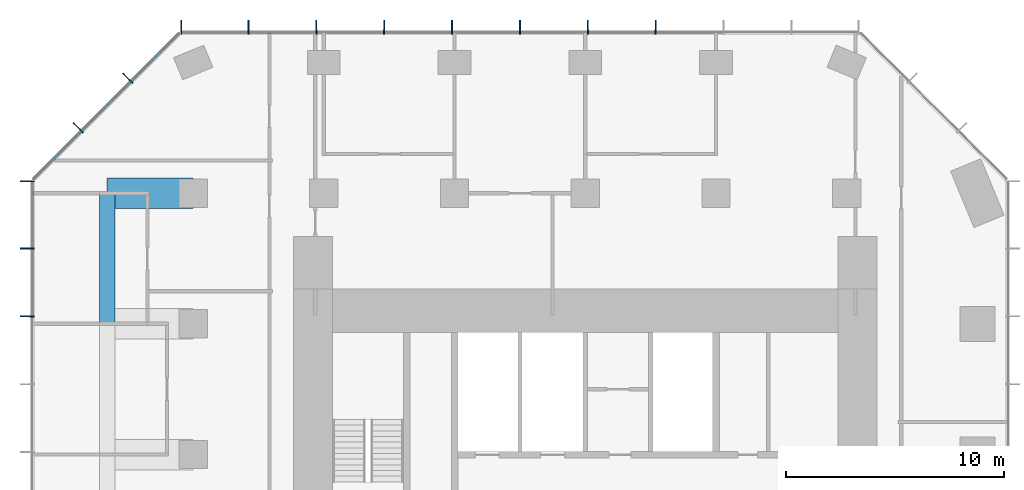
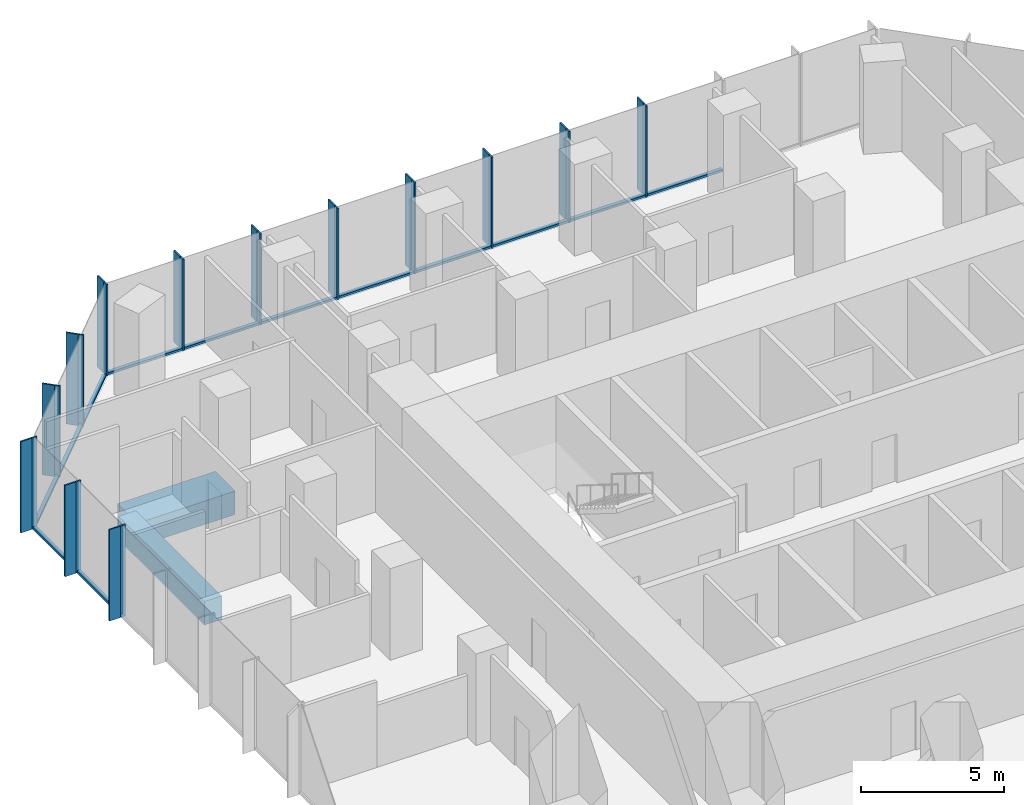
# One storey, part 5 of 12: 39 members, 2 beams, 3 elements without a shape of their own.
"""IFC4 building model written with IfcOpenShell, lengths in metres."""

import ifcopenshell
import ifcopenshell.guid

model = None  # the IFC model being written
_history = None  # IfcOwnerHistory: only IFC2X3 demands one
_inside = {}  # id of a spatial element -> (the spatial element, [elements in it])
_under = {}  # id of a project, library or spatial element -> (it, [spatial elements below it])
_declared = {}  # id of a project -> (the project, [libraries it declares])
_typed = {}  # id of a type object -> (the type object, [elements of that type])
_made_of = {}  # id of a material, layer set ... -> (it, [elements and type objects made of it])


def new_model(schema):
    """Start an empty IFC model of exactly this schema.

    Asked for "IFC4X3", IfcOpenShell would pick the latest addendum, in which some entities
    have other attributes; the version numbers below select the first issue.
    IFC2X3 requires an IfcOwnerHistory on every rooted entity: one is made here for all.
    """
    global model, _history
    if schema == "IFC4X3":
        model = ifcopenshell.file(schema_version=(4, 3, 0, 0))
    else:
        model = ifcopenshell.file(schema=schema)
    _inside.clear()
    _under.clear()
    _declared.clear()
    _typed.clear()
    _made_of.clear()
    _history = None
    if model.schema == "IFC2X3":
        org = make("IfcOrganization", Name="unknown")
        user = make(
            "IfcPersonAndOrganization",
            ThePerson=make("IfcPerson", FamilyName="unknown"),
            TheOrganization=org,
        )
        app = make(
            "IfcApplication",
            ApplicationDeveloper=org,
            Version="unknown",
            ApplicationFullName="unknown",
            ApplicationIdentifier="unknown",
        )
        _history = make(
            "IfcOwnerHistory",
            OwningUser=user,
            OwningApplication=app,
            ChangeAction="ADDED",
            CreationDate=0,
        )
    return model


def make(cls, **values):
    """One entity of the class cls with the attributes given. An attribute that is None is left unset."""
    return model.create_entity(
        cls, **{name: value for name, value in values.items() if value is not None}
    )


def rooted(cls, **values):
    """An entity with a GlobalId (a new one), such as an element, a storey or a relation."""
    return make(cls, GlobalId=ifcopenshell.guid.new(), OwnerHistory=_history, **values)


def si_unit(unit_type, name, prefix=None):
    """IfcSIUnit, for example si_unit("LENGTHUNIT", "METRE", prefix="MILLI")."""
    return make("IfcSIUnit", UnitType=unit_type, Prefix=prefix, Name=name)


def assignment(units):
    """IfcUnitAssignment: the units of a project."""
    return None if units is None else make("IfcUnitAssignment", Units=units)


def point(xyz):
    """IfcCartesianPoint."""
    return None if xyz is None else make("IfcCartesianPoint", Coordinates=xyz)


def direction(xyz):
    """IfcDirection."""
    return None if xyz is None else make("IfcDirection", DirectionRatios=xyz)


def frame(location, z_axis=None, x_axis=None):
    """IfcAxis2Placement3D, a coordinate frame: its origin and axes. An axis left out is left unset."""
    return make(
        "IfcAxis2Placement3D",
        Location=point(location),
        Axis=direction(z_axis),
        RefDirection=direction(x_axis),
    )


def frame_2d(location, x_axis=None):
    """IfcAxis2Placement2D, a coordinate frame in the plane: its origin and x axis."""
    return make(
        "IfcAxis2Placement2D", Location=point(location), RefDirection=direction(x_axis)
    )


def origin():
    """The frame at (0, 0, 0) with its axes left unset."""
    return frame((0.0, 0.0, 0.0))


def origin_2d():
    """The frame at (0, 0) in the plane with its x axis left unset."""
    return frame_2d((0.0, 0.0))


def place(relative_to, where):
    """IfcLocalPlacement: puts the frame where relative to a parent placement (None: the world)."""
    return make(
        "IfcLocalPlacement", PlacementRelTo=relative_to, RelativePlacement=where
    )


def context(
    kind, dimensions, precision=None, world=None, true_north=None, identifier=None
):
    """IfcGeometricRepresentationContext, for example the 3D "Model" context."""
    return make(
        "IfcGeometricRepresentationContext",
        ContextIdentifier=identifier,
        ContextType=kind,
        CoordinateSpaceDimension=dimensions,
        Precision=precision,
        WorldCoordinateSystem=world,
        TrueNorth=true_north,
    )


def subcontext(parent, identifier, kind, view, scale=None):
    """IfcGeometricRepresentationSubContext, for example "Body" below "Model"."""
    return make(
        "IfcGeometricRepresentationSubContext",
        ContextIdentifier=identifier,
        ContextType=kind,
        ParentContext=parent,
        TargetScale=scale,
        TargetView=view,
    )


def project(units=None, contexts=None):
    """IfcProject with its units and contexts."""
    return rooted(
        "IfcProject",
        Name="project",
        RepresentationContexts=contexts,
        UnitsInContext=assignment(units),
    )


def spatial(cls, under=None, at=None, **own):
    """A site, building, storey or space (cls), placed at a placement, below another one or the project."""
    s = rooted(cls, ObjectPlacement=at, **own)
    if under is not None:
        _under.setdefault(under.id(), (under, []))[1].append(s)
    return s


def profile(cls, at=None, kind="AREA", **sizes):
    """A parametric profile (cls). Its sizes go by their IFC names, for example OverallWidth=200.0."""
    return make(cls, ProfileType=kind, Position=at, **sizes)


def rectangle(**sizes):
    """IfcRectangleProfileDef."""
    return profile("IfcRectangleProfileDef", **sizes)


def extrude(swept, where, along, depth):
    """IfcExtrudedAreaSolid: the profile swept, set in the frame where, extruded along a direction by depth."""
    return make(
        "IfcExtrudedAreaSolid",
        SweptArea=swept,
        Position=where,
        ExtrudedDirection=direction(along),
        Depth=depth,
    )


def shape(context_of_items, identifier, shape_type, items):
    """IfcShapeRepresentation: the items that make up one representation, for example the "Body"."""
    return make(
        "IfcShapeRepresentation",
        ContextOfItems=context_of_items,
        RepresentationIdentifier=identifier,
        RepresentationType=shape_type,
        Items=items,
    )


def material(Name=None, Category=None):
    """IfcMaterial."""
    return make("IfcMaterial", Name=Name, Category=Category)


def layer(
    of_material, thickness, ventilated=None, Name=None, Category=None, Priority=None
):
    """IfcMaterialLayer: one layer of a wall or slab, of a material (None: an air gap)."""
    return make(
        "IfcMaterialLayer",
        Material=of_material,
        LayerThickness=thickness,
        IsVentilated=ventilated,
        Name=Name,
        Category=Category,
        Priority=Priority,
    )


def layer_set(layers, Name=None):
    """IfcMaterialLayerSet."""
    return make("IfcMaterialLayerSet", MaterialLayers=layers, LayerSetName=Name)


def material_profile(
    of_material, cross_section, Name=None, Category=None, Priority=None
):
    """IfcMaterialProfile: a cross section and its material."""
    return make(
        "IfcMaterialProfile",
        Name=Name,
        Material=of_material,
        Profile=cross_section,
        Priority=Priority,
        Category=Category,
    )


def profile_set(profiles, Name=None, composite=None):
    """IfcMaterialProfileSet."""
    return make(
        "IfcMaterialProfileSet",
        Name=Name,
        MaterialProfiles=profiles,
        CompositeProfile=composite,
    )


def made_of(thing, what):
    """Note that an element or type object is made of a material, layer set ...; save() writes the relation."""
    if what is not None:
        _made_of.setdefault(what.id(), (what, []))[1].append(thing)
    return thing


def type_object(cls, material=None, **own):
    """A type object (cls), such as IfcWallType, which elements share."""
    return made_of(rooted(cls, **own), material)


def element(
    cls,
    number,
    at=None,
    inside=None,
    cuts=None,
    type_object=None,
    material=None,
    context=None,
    identifier="Body",
    shape_type=None,
    held_by="IfcProductDefinitionShape",
    body=None,
    shapes=None,
    **own,
):
    """One element of the class cls, such as IfcWall. Its Tag is "e" and its number.

    at: its placement. inside: the storey or other place that contains it. cuts: it is an
    opening in that element (IfcRelVoidsElement). A single representation is given by context,
    identifier, shape_type and body (its items); several are given by shapes. held_by: the class
    of the entity that holds the representations. save() writes the other relations.
    """
    e = rooted(cls, Tag="e%d" % number, ObjectPlacement=at, **own)
    if body is not None:
        shapes = [shape(context, identifier, shape_type, body)]
    if shapes is not None:
        e.Representation = make(held_by, Representations=shapes)
    if inside is not None:
        _inside.setdefault(inside.id(), (inside, []))[1].append(e)
    if cuts is not None:
        rooted(
            "IfcRelVoidsElement", RelatingBuildingElement=cuts, RelatedOpeningElement=e
        )
    if type_object is not None:
        _typed.setdefault(type_object.id(), (type_object, []))[1].append(e)
    return made_of(e, material)


def aggregate(whole, parts):
    """IfcRelAggregates: a whole, such as a stair, and the parts it consists of."""
    return rooted("IfcRelAggregates", RelatingObject=whole, RelatedObjects=parts)


def save(model, path):
    """Write the relations noted so far, then the file.

    IfcRelAggregates (storeys below a building ...), IfcRelContainedInSpatialStructure (elements
    in a storey), IfcRelDefinesByType, IfcRelAssociatesMaterial and IfcRelDeclares: one each for
    every whole, place, type object, material and project.
    """
    for whole, parts in _under.values():
        aggregate(whole, parts)
    for where, things in _inside.values():
        rooted(
            "IfcRelContainedInSpatialStructure",
            RelatedElements=things,
            RelatingStructure=where,
        )
    for kind, things in _typed.values():
        rooted("IfcRelDefinesByType", RelatedObjects=things, RelatingType=kind)
    for what, things in _made_of.values():
        rooted("IfcRelAssociatesMaterial", RelatedObjects=things, RelatingMaterial=what)
    for by, libraries in _declared.values():
        rooted("IfcRelDeclares", RelatingContext=by, RelatedDefinitions=libraries)
    model.write(path)


model = new_model("IFC4")

# Units and contexts
model_context = context("Model", 3, precision=1e-05, world=origin(), true_north=direction((0.0, 1.0)))
body_context = subcontext(model_context, "Body", "Model", "MODEL_VIEW")
ifc_project = project(units=[si_unit("LENGTHUNIT", "METRE"), si_unit("AREAUNIT", "SQUARE_METRE"), si_unit("VOLUMEUNIT", "CUBIC_METRE"), si_unit("PLANEANGLEUNIT", "RADIAN"), si_unit("MASSUNIT", "GRAM", prefix="KILO")], contexts=[model_context])

# Site, building, storey
site_placement = place(None, origin())
site = spatial("IfcSite", under=ifc_project, at=site_placement, CompositionType="ELEMENT")
building_placement = place(site_placement, origin())
building = spatial("IfcBuilding", under=site, at=building_placement, Name="Highveld Stack Headquarters", CompositionType="ELEMENT")
storey_placement = place(building_placement, frame((0.0, 0.0, 231.800048828125)))
storey = spatial("IfcBuildingStorey", under=building, at=storey_placement, Name="L57", CompositionType="ELEMENT", Elevation=231.800048828125)

# Beam
ifc_material_1 = material(Name="Concrete C60/75", Category="concrete")
ifc_material_profile_1 = material_profile(ifc_material_1, rectangle(XDim=1.39990234375, YDim=1.0, at=origin_2d()), Name="RC 1400x1000")
ifc_profile_set_1 = profile_set([ifc_material_profile_1], Name="Concrete C60/75")
beam_type_1 = type_object("IfcBeamType", Name="CANTILEVER RIB RC 1400x1000", PredefinedType="USERDEFINED", material=ifc_profile_set_1)
beam_1_placement = place(storey_placement, frame((-12.0, 18.0, -0.75), z_axis=(-1.0, 0.0, 0.0), x_axis=(0.0, -1.0, 0.0)))
element("IfcBeam", 1, at=beam_1_placement, inside=storey, type_object=beam_type_1, Name="Cantilever rib 4/H L57", ObjectType="CANTILEVER RIB", PredefinedType="USERDEFINED", context=body_context, shape_type="SweptSolid", body=[
    extrude(rectangle(XDim=1.39990234375, YDim=1.0, at=origin_2d()), origin(), (0.0, 0.0, 1.0), 3.949951171875),
])

# Curtain wall, members
ifc_material_2 = material(Name="Aluminium bronze anodised", Category="aluminium")
ifc_layer_1 = layer(ifc_material_2, 0.199951171875)
ifc_layer_set_1 = layer_set([ifc_layer_1], Name="Aluminium bronze anodised")
curtain_wall_type_1 = type_object("IfcCurtainWallType", Name="CW1 TOWER UNITISED CURTAIN WALL", PredefinedType="NOTDEFINED", material=ifc_layer_set_1)
curtain_wall_1_placement = place(storey_placement, origin())
curtain_wall_1 = element("IfcCurtainWall", 2, at=curtain_wall_1_placement, inside=storey, type_object=curtain_wall_type_1, Name="Curtain wall CW1 L57 N", PredefinedType="NOTDEFINED")
ifc_material_3 = material(Name="Aluminium bronze anodised", Category="aluminium")
ifc_material_profile_2 = material_profile(ifc_material_3, rectangle(XDim=0.449951171875, YDim=0.06005859375, at=origin_2d()), Name="FIN 450x60")
ifc_profile_set_2 = profile_set([ifc_material_profile_2], Name="Aluminium bronze anodised")
member_type_1 = type_object("IfcMemberType", Name="CW1 BRONZE FIN 450x60", PredefinedType="USERDEFINED", material=ifc_profile_set_2)
member_1_placement = place(storey_placement, frame((9.23193359375, 25.72509765625, 0.0), z_axis=(0.0, 0.0, 1.0), x_axis=(0.0, -1.0, 0.0)))
member_1 = element("IfcMember", 3, at=member_1_placement, type_object=member_type_1, Name="CW1 fin L57 4", ObjectType="FIN", PredefinedType="USERDEFINED", context=body_context, shape_type="SweptSolid", body=[
    extrude(rectangle(XDim=0.449951171875, YDim=0.06005859375, at=origin_2d()), origin(), (0.0, 0.0, 1.0), 3.89990234375),
])
member_2_placement = place(storey_placement, frame((6.115966796875, 25.72509765625, 0.0), z_axis=(0.0, 0.0, 1.0), x_axis=(0.0, -1.0, 0.0)))
member_2 = element("IfcMember", 4, at=member_2_placement, type_object=member_type_1, Name="CW1 fin L57 5", ObjectType="FIN", PredefinedType="USERDEFINED", context=body_context, shape_type="SweptSolid", body=[
    extrude(rectangle(XDim=0.449951171875, YDim=0.06005859375, at=origin_2d()), origin(), (0.0, 0.0, 1.0), 3.89990234375),
])
member_3_placement = place(storey_placement, frame((3.0, 25.72509765625, 0.0), z_axis=(0.0, 0.0, 1.0), x_axis=(0.0, -1.0, 0.0)))
member_3 = element("IfcMember", 5, at=member_3_placement, type_object=member_type_1, Name="CW1 fin L57 6", ObjectType="FIN", PredefinedType="USERDEFINED", context=body_context, shape_type="SweptSolid", body=[
    extrude(rectangle(XDim=0.449951171875, YDim=0.06005859375, at=origin_2d()), origin(), (0.0, 0.0, 1.0), 3.89990234375),
])
member_4_placement = place(storey_placement, frame((-0.115966796875, 25.72509765625, 0.0), z_axis=(0.0, 0.0, 1.0), x_axis=(0.0, -1.0, 0.0)))
member_4 = element("IfcMember", 6, at=member_4_placement, type_object=member_type_1, Name="CW1 fin L57 7", ObjectType="FIN", PredefinedType="USERDEFINED", context=body_context, shape_type="SweptSolid", body=[
    extrude(rectangle(XDim=0.449951171875, YDim=0.06005859375, at=origin_2d()), origin(), (0.0, 0.0, 1.0), 3.89990234375),
])
member_5_placement = place(storey_placement, frame((-3.23193359375, 25.72509765625, 0.0), z_axis=(0.0, 0.0, 1.0), x_axis=(0.0, -1.0, 0.0)))
member_5 = element("IfcMember", 7, at=member_5_placement, type_object=member_type_1, Name="CW1 fin L57 8", ObjectType="FIN", PredefinedType="USERDEFINED", context=body_context, shape_type="SweptSolid", body=[
    extrude(rectangle(XDim=0.449951171875, YDim=0.06005859375, at=origin_2d()), origin(), (0.0, 0.0, 1.0), 3.89990234375),
])
member_6_placement = place(storey_placement, frame((-6.347900390625, 25.72509765625, 0.0), z_axis=(0.0, 0.0, 1.0), x_axis=(0.0, -1.0, 0.0)))
member_6 = element("IfcMember", 8, at=member_6_placement, type_object=member_type_1, Name="CW1 fin L57 9", ObjectType="FIN", PredefinedType="USERDEFINED", context=body_context, shape_type="SweptSolid", body=[
    extrude(rectangle(XDim=0.449951171875, YDim=0.06005859375, at=origin_2d()), origin(), (0.0, 0.0, 1.0), 3.89990234375),
])
member_7_placement = place(storey_placement, frame((-9.4638671875, 25.72509765625, 0.0), z_axis=(0.0, 0.0, 1.0), x_axis=(0.0, -1.0, 0.0)))
member_7 = element("IfcMember", 9, at=member_7_placement, type_object=member_type_1, Name="CW1 fin L57 10", ObjectType="FIN", PredefinedType="USERDEFINED", context=body_context, shape_type="SweptSolid", body=[
    extrude(rectangle(XDim=0.449951171875, YDim=0.06005859375, at=origin_2d()), origin(), (0.0, 0.0, 1.0), 3.89990234375),
])
member_8_placement = place(storey_placement, frame((-12.54736328125, 25.72509765625, 0.0), z_axis=(0.0, 0.0, 1.0), x_axis=(0.0, -1.0, 0.0)))
member_8 = element("IfcMember", 10, at=member_8_placement, type_object=member_type_1, Name="CW1 fin L57 11", ObjectType="FIN", PredefinedType="USERDEFINED", context=body_context, shape_type="SweptSolid", body=[
    extrude(rectangle(XDim=0.449951171875, YDim=0.06005859375, at=origin_2d()), origin(), (0.0, 0.0, 1.0), 3.89990234375),
])

curtain_wall_2_placement = place(storey_placement, origin())
curtain_wall_2 = element("IfcCurtainWall", 11, at=curtain_wall_2_placement, inside=storey, type_object=curtain_wall_type_1, Name="Curtain wall CW1 L57 W", PredefinedType="NOTDEFINED")
member_9_placement = place(storey_placement, frame((-19.72509765625, 18.54736328125, 0.0), z_axis=(0.0, 0.0, 1.0), x_axis=(1.0, 0.0, 0.0)))
member_9 = element("IfcMember", 12, at=member_9_placement, type_object=member_type_1, Name="CW1 fin L57 1", ObjectType="FIN", PredefinedType="USERDEFINED", context=body_context, shape_type="SweptSolid", body=[
    extrude(rectangle(XDim=0.449951171875, YDim=0.06005859375, at=origin_2d()), origin(), (0.0, 0.0, 1.0), 3.89990234375),
])
member_10_placement = place(storey_placement, frame((-19.72509765625, 15.4638671875, 0.0), z_axis=(0.0, 0.0, 1.0), x_axis=(1.0, 0.0, 0.0)))
member_10 = element("IfcMember", 13, at=member_10_placement, type_object=member_type_1, Name="CW1 fin L57 2", ObjectType="FIN", PredefinedType="USERDEFINED", context=body_context, shape_type="SweptSolid", body=[
    extrude(rectangle(XDim=0.449951171875, YDim=0.06005859375, at=origin_2d()), origin(), (0.0, 0.0, 1.0), 3.89990234375),
])
member_11_placement = place(storey_placement, frame((-19.72509765625, 12.347900390625, 0.0), z_axis=(0.0, 0.0, 1.0), x_axis=(1.0, 0.0, 0.0)))
member_11 = element("IfcMember", 14, at=member_11_placement, type_object=member_type_1, Name="CW1 fin L57 3", ObjectType="FIN", PredefinedType="USERDEFINED", context=body_context, shape_type="SweptSolid", body=[
    extrude(rectangle(XDim=0.449951171875, YDim=0.06005859375, at=origin_2d()), origin(), (0.0, 0.0, 1.0), 3.89990234375),
])

# Member
ifc_material_4 = material(Name="Aluminium bronze anodised", Category="aluminium")
ifc_material_profile_3 = material_profile(ifc_material_4, rectangle(XDim=0.199951171875, YDim=0.06494140625, at=origin_2d()), Name="CW1 MULLION 65x200")
ifc_profile_set_3 = profile_set([ifc_material_profile_3], Name="Aluminium bronze anodised")
member_type_2 = type_object("IfcMemberType", Name="CW1 MULLION 65x200", PredefinedType="MULLION", material=ifc_profile_set_3)
member_12_placement = place(storey_placement, frame((9.23193359375, 25.39990234375, 0.0), z_axis=(0.0, 0.0, 1.0), x_axis=(0.0, -1.0, 0.0)))
member_12 = element("IfcMember", 15, at=member_12_placement, type_object=member_type_2, Name="CW1 mullion L57 4", PredefinedType="MULLION", context=body_context, shape_type="SweptSolid", body=[
    extrude(rectangle(XDim=0.199951171875, YDim=0.06494140625, at=origin_2d()), origin(), (0.0, 0.0, 1.0), 3.89990234375),
])

member_13_placement = place(storey_placement, frame((6.115966796875, 25.39990234375, 0.0), z_axis=(0.0, 0.0, 1.0), x_axis=(0.0, -1.0, 0.0)))
member_13 = element("IfcMember", 16, at=member_13_placement, type_object=member_type_2, Name="CW1 mullion L57 5", PredefinedType="MULLION", context=body_context, shape_type="SweptSolid", body=[
    extrude(rectangle(XDim=0.199951171875, YDim=0.06494140625, at=origin_2d()), origin(), (0.0, 0.0, 1.0), 3.89990234375),
])

member_14_placement = place(storey_placement, frame((3.0, 25.39990234375, 0.0), z_axis=(0.0, 0.0, 1.0), x_axis=(0.0, -1.0, 0.0)))
member_14 = element("IfcMember", 17, at=member_14_placement, type_object=member_type_2, Name="CW1 mullion L57 6", PredefinedType="MULLION", context=body_context, shape_type="SweptSolid", body=[
    extrude(rectangle(XDim=0.199951171875, YDim=0.06494140625, at=origin_2d()), origin(), (0.0, 0.0, 1.0), 3.89990234375),
])

member_15_placement = place(storey_placement, frame((-0.115966796875, 25.39990234375, 0.0), z_axis=(0.0, 0.0, 1.0), x_axis=(0.0, -1.0, 0.0)))
member_15 = element("IfcMember", 18, at=member_15_placement, type_object=member_type_2, Name="CW1 mullion L57 7", PredefinedType="MULLION", context=body_context, shape_type="SweptSolid", body=[
    extrude(rectangle(XDim=0.199951171875, YDim=0.06494140625, at=origin_2d()), origin(), (0.0, 0.0, 1.0), 3.89990234375),
])

member_16_placement = place(storey_placement, frame((-3.23193359375, 25.39990234375, 0.0), z_axis=(0.0, 0.0, 1.0), x_axis=(0.0, -1.0, 0.0)))
member_16 = element("IfcMember", 19, at=member_16_placement, type_object=member_type_2, Name="CW1 mullion L57 8", PredefinedType="MULLION", context=body_context, shape_type="SweptSolid", body=[
    extrude(rectangle(XDim=0.199951171875, YDim=0.06494140625, at=origin_2d()), origin(), (0.0, 0.0, 1.0), 3.89990234375),
])

member_17_placement = place(storey_placement, frame((-6.347900390625, 25.39990234375, 0.0), z_axis=(0.0, 0.0, 1.0), x_axis=(0.0, -1.0, 0.0)))
member_17 = element("IfcMember", 20, at=member_17_placement, type_object=member_type_2, Name="CW1 mullion L57 9", PredefinedType="MULLION", context=body_context, shape_type="SweptSolid", body=[
    extrude(rectangle(XDim=0.199951171875, YDim=0.06494140625, at=origin_2d()), origin(), (0.0, 0.0, 1.0), 3.89990234375),
])

member_18_placement = place(storey_placement, frame((-9.4638671875, 25.39990234375, 0.0), z_axis=(0.0, 0.0, 1.0), x_axis=(0.0, -1.0, 0.0)))
member_18 = element("IfcMember", 21, at=member_18_placement, type_object=member_type_2, Name="CW1 mullion L57 10", PredefinedType="MULLION", context=body_context, shape_type="SweptSolid", body=[
    extrude(rectangle(XDim=0.199951171875, YDim=0.06494140625, at=origin_2d()), origin(), (0.0, 0.0, 1.0), 3.89990234375),
])

member_19_placement = place(storey_placement, frame((-12.54736328125, 25.39990234375, 0.0), z_axis=(0.0, 0.0, 1.0), x_axis=(0.0, -1.0, 0.0)))
member_19 = element("IfcMember", 22, at=member_19_placement, type_object=member_type_2, Name="CW1 mullion L57 11", PredefinedType="MULLION", context=body_context, shape_type="SweptSolid", body=[
    extrude(rectangle(XDim=0.199951171875, YDim=0.06494140625, at=origin_2d()), origin(), (0.0, 0.0, 1.0), 3.89990234375),
])

member_20_placement = place(storey_placement, frame((-19.39990234375, 18.54736328125, 0.0), z_axis=(0.0, 0.0, 1.0), x_axis=(1.0, 0.0, 0.0)))
member_20 = element("IfcMember", 23, at=member_20_placement, type_object=member_type_2, Name="CW1 mullion L57 1", PredefinedType="MULLION", context=body_context, shape_type="SweptSolid", body=[
    extrude(rectangle(XDim=0.199951171875, YDim=0.06494140625, at=origin_2d()), origin(), (0.0, 0.0, 1.0), 3.89990234375),
])

member_21_placement = place(storey_placement, frame((-19.39990234375, 15.4638671875, 0.0), z_axis=(0.0, 0.0, 1.0), x_axis=(1.0, 0.0, 0.0)))
member_21 = element("IfcMember", 24, at=member_21_placement, type_object=member_type_2, Name="CW1 mullion L57 2", PredefinedType="MULLION", context=body_context, shape_type="SweptSolid", body=[
    extrude(rectangle(XDim=0.199951171875, YDim=0.06494140625, at=origin_2d()), origin(), (0.0, 0.0, 1.0), 3.89990234375),
])

member_22_placement = place(storey_placement, frame((-19.39990234375, 12.347900390625, 0.0), z_axis=(0.0, 0.0, 1.0), x_axis=(1.0, 0.0, 0.0)))
member_22 = element("IfcMember", 25, at=member_22_placement, type_object=member_type_2, Name="CW1 mullion L57 3", PredefinedType="MULLION", context=body_context, shape_type="SweptSolid", body=[
    extrude(rectangle(XDim=0.199951171875, YDim=0.06494140625, at=origin_2d()), origin(), (0.0, 0.0, 1.0), 3.89990234375),
])

ifc_material_5 = material(Name="Aluminium bronze anodised", Category="aluminium")
ifc_material_profile_4 = material_profile(ifc_material_5, rectangle(XDim=0.14990234375, YDim=0.10009765625, at=origin_2d()), Name="CW1 TRANSOM 150x100")
ifc_profile_set_4 = profile_set([ifc_material_profile_4], Name="Aluminium bronze anodised")
member_type_3 = type_object("IfcMemberType", Name="CW1 STACK TRANSOM 150x100", PredefinedType="USERDEFINED", material=ifc_profile_set_4)
member_23_placement = place(storey_placement, frame((12.3154296875, 25.39990234375, 0.050048828125), z_axis=(-1.0, 0.0, 0.0), x_axis=(0.0, -1.0, 0.0)))
member_23 = element("IfcMember", 26, at=member_23_placement, type_object=member_type_3, Name="CW1 transom L57 3.1", ObjectType="TRANSOM", PredefinedType="USERDEFINED", context=body_context, shape_type="SweptSolid", body=[
    extrude(rectangle(XDim=0.14990234375, YDim=0.10009765625, at=origin_2d()), origin(), (0.0, 0.0, 1.0), 3.051025390625),
])

member_24_placement = place(storey_placement, frame((9.199462890625, 25.39990234375, 0.050048828125), z_axis=(-1.0, 0.0, 0.0), x_axis=(0.0, -1.0, 0.0)))
member_24 = element("IfcMember", 27, at=member_24_placement, type_object=member_type_3, Name="CW1 transom L57 4.1", ObjectType="TRANSOM", PredefinedType="USERDEFINED", context=body_context, shape_type="SweptSolid", body=[
    extrude(rectangle(XDim=0.14990234375, YDim=0.10009765625, at=origin_2d()), origin(), (0.0, 0.0, 1.0), 3.051025390625),
])

member_25_placement = place(storey_placement, frame((6.08349609375, 25.39990234375, 0.050048828125), z_axis=(-1.0, 0.0, 0.0), x_axis=(0.0, -1.0, 0.0)))
member_25 = element("IfcMember", 28, at=member_25_placement, type_object=member_type_3, Name="CW1 transom L57 5.1", ObjectType="TRANSOM", PredefinedType="USERDEFINED", context=body_context, shape_type="SweptSolid", body=[
    extrude(rectangle(XDim=0.14990234375, YDim=0.10009765625, at=origin_2d()), origin(), (0.0, 0.0, 1.0), 3.051025390625),
])

member_26_placement = place(storey_placement, frame((2.967529296875, 25.39990234375, 0.050048828125), z_axis=(-1.0, 0.0, 0.0), x_axis=(0.0, -1.0, 0.0)))
member_26 = element("IfcMember", 29, at=member_26_placement, type_object=member_type_3, Name="CW1 transom L57 6.1", ObjectType="TRANSOM", PredefinedType="USERDEFINED", context=body_context, shape_type="SweptSolid", body=[
    extrude(rectangle(XDim=0.14990234375, YDim=0.10009765625, at=origin_2d()), origin(), (0.0, 0.0, 1.0), 3.051025390625),
])

member_27_placement = place(storey_placement, frame((-0.1484375, 25.39990234375, 0.050048828125), z_axis=(-1.0, 0.0, 0.0), x_axis=(0.0, -1.0, 0.0)))
member_27 = element("IfcMember", 30, at=member_27_placement, type_object=member_type_3, Name="CW1 transom L57 7.1", ObjectType="TRANSOM", PredefinedType="USERDEFINED", context=body_context, shape_type="SweptSolid", body=[
    extrude(rectangle(XDim=0.14990234375, YDim=0.10009765625, at=origin_2d()), origin(), (0.0, 0.0, 1.0), 3.051025390625),
])

member_28_placement = place(storey_placement, frame((-3.264404296875, 25.39990234375, 0.050048828125), z_axis=(-1.0, 0.0, 0.0), x_axis=(0.0, -1.0, 0.0)))
member_28 = element("IfcMember", 31, at=member_28_placement, type_object=member_type_3, Name="CW1 transom L57 8.1", ObjectType="TRANSOM", PredefinedType="USERDEFINED", context=body_context, shape_type="SweptSolid", body=[
    extrude(rectangle(XDim=0.14990234375, YDim=0.10009765625, at=origin_2d()), origin(), (0.0, 0.0, 1.0), 3.051025390625),
])

member_29_placement = place(storey_placement, frame((-6.38037109375, 25.39990234375, 0.050048828125), z_axis=(-1.0, 0.0, 0.0), x_axis=(0.0, -1.0, 0.0)))
member_29 = element("IfcMember", 32, at=member_29_placement, type_object=member_type_3, Name="CW1 transom L57 9.1", ObjectType="TRANSOM", PredefinedType="USERDEFINED", context=body_context, shape_type="SweptSolid", body=[
    extrude(rectangle(XDim=0.14990234375, YDim=0.10009765625, at=origin_2d()), origin(), (0.0, 0.0, 1.0), 3.051025390625),
])

member_30_placement = place(storey_placement, frame((-9.496337890625, 25.39990234375, 0.050048828125), z_axis=(-1.0, 0.0, 0.0), x_axis=(0.0, -1.0, 0.0)))
member_30 = element("IfcMember", 33, at=member_30_placement, type_object=member_type_3, Name="CW1 transom L57 10.1", ObjectType="TRANSOM", PredefinedType="USERDEFINED", context=body_context, shape_type="SweptSolid", body=[
    extrude(rectangle(XDim=0.14990234375, YDim=0.10009765625, at=origin_2d()), origin(), (0.0, 0.0, 1.0), 3.0185546875),
])

aggregate(curtain_wall_1, [member_12, member_1, member_13, member_2, member_14, member_3, member_15, member_4, member_16, member_5, member_17, member_6, member_18, member_7, member_19, member_8, member_23, member_24, member_25, member_26, member_27, member_28, member_29, member_30])

member_31_placement = place(storey_placement, frame((-19.39990234375, 18.514892578125, 0.050048828125), z_axis=(0.0, -1.0, 0.0), x_axis=(1.0, 0.0, 0.0)))
member_31 = element("IfcMember", 34, at=member_31_placement, type_object=member_type_3, Name="CW1 transom L57 1.1", ObjectType="TRANSOM", PredefinedType="USERDEFINED", context=body_context, shape_type="SweptSolid", body=[
    extrude(rectangle(XDim=0.14990234375, YDim=0.10009765625, at=origin_2d()), origin(), (0.0, 0.0, 1.0), 3.0185546875),
])

member_32_placement = place(storey_placement, frame((-19.39990234375, 15.431396484375, 0.050048828125), z_axis=(0.0, -1.0, 0.0), x_axis=(1.0, 0.0, 0.0)))
member_32 = element("IfcMember", 35, at=member_32_placement, type_object=member_type_3, Name="CW1 transom L57 2.1", ObjectType="TRANSOM", PredefinedType="USERDEFINED", context=body_context, shape_type="SweptSolid", body=[
    extrude(rectangle(XDim=0.14990234375, YDim=0.10009765625, at=origin_2d()), origin(), (0.0, 0.0, 1.0), 3.051025390625),
])

aggregate(curtain_wall_2, [member_20, member_9, member_21, member_10, member_22, member_11, member_31, member_32])

# Curtain wall, members
ifc_material_6 = material(Name="Aluminium bronze anodised", Category="aluminium")
ifc_layer_2 = layer(ifc_material_6, 0.199951171875)
ifc_layer_set_2 = layer_set([ifc_layer_2], Name="Aluminium bronze anodised")
curtain_wall_type_2 = type_object("IfcCurtainWallType", Name="CW2 TOWER CHAMFER UNITISED CURTAIN WALL", PredefinedType="NOTDEFINED", material=ifc_layer_set_2)
curtain_wall_3_placement = place(storey_placement, origin())
curtain_wall_3 = element("IfcCurtainWall", 36, at=curtain_wall_3_placement, inside=storey, type_object=curtain_wall_type_2, Name="Curtain wall CW2 L57 NW", PredefinedType="NOTDEFINED")
ifc_material_7 = material(Name="Aluminium bronze anodised", Category="aluminium")
ifc_material_profile_5 = material_profile(ifc_material_7, rectangle(XDim=0.449951171875, YDim=0.06005859375, at=origin_2d()), Name="FIN 450x60")
ifc_profile_set_5 = profile_set([ifc_material_profile_5], Name="Aluminium bronze anodised")
member_type_4 = type_object("IfcMemberType", Name="CW2 BRONZE FIN 450x60", PredefinedType="USERDEFINED", material=ifc_profile_set_5)
member_33_placement = place(storey_placement, frame((-15.0830078125, 23.3564453125, 0.0), z_axis=(0.0, 0.0, 1.0), x_axis=(0.707106781187, -0.707106781187, 0.0)))
member_33 = element("IfcMember", 37, at=member_33_placement, type_object=member_type_4, Name="CW2 fin L57 1", ObjectType="FIN", PredefinedType="USERDEFINED", context=body_context, shape_type="SweptSolid", body=[
    extrude(rectangle(XDim=0.449951171875, YDim=0.06005859375, at=origin_2d()), origin(), (0.0, 0.0, 1.0), 3.89990234375),
])
member_34_placement = place(storey_placement, frame((-17.3564453125, 21.0830078125, 0.0), z_axis=(0.0, 0.0, 1.0), x_axis=(0.707106781187, -0.707106781187, 0.0)))
member_34 = element("IfcMember", 38, at=member_34_placement, type_object=member_type_4, Name="CW2 fin L57 2", ObjectType="FIN", PredefinedType="USERDEFINED", context=body_context, shape_type="SweptSolid", body=[
    extrude(rectangle(XDim=0.449951171875, YDim=0.06005859375, at=origin_2d()), origin(), (0.0, 0.0, 1.0), 3.89990234375),
])
ifc_material_8 = material(Name="Aluminium bronze anodised", Category="aluminium")
ifc_material_profile_6 = material_profile(ifc_material_8, rectangle(XDim=0.199951171875, YDim=0.06494140625, at=origin_2d()), Name="CW2 MULLION 65x200")
ifc_profile_set_6 = profile_set([ifc_material_profile_6], Name="Aluminium bronze anodised")
member_type_5 = type_object("IfcMemberType", Name="CW2 MULLION 65x200", PredefinedType="MULLION", material=ifc_profile_set_6)
member_35_placement = place(storey_placement, frame((-14.853271484375, 23.126708984375, 0.0), z_axis=(0.0, 0.0, 1.0), x_axis=(0.707106781187, -0.707106781187, 0.0)))
member_35 = element("IfcMember", 39, at=member_35_placement, type_object=member_type_5, Name="CW2 mullion L57 1", PredefinedType="MULLION", context=body_context, shape_type="SweptSolid", body=[
    extrude(rectangle(XDim=0.199951171875, YDim=0.06494140625, at=origin_2d()), origin(), (0.0, 0.0, 1.0), 3.89990234375),
])
member_36_placement = place(storey_placement, frame((-17.126708984375, 20.853271484375, 0.0), z_axis=(0.0, 0.0, 1.0), x_axis=(0.707106781187, -0.707106781187, 0.0)))
member_36 = element("IfcMember", 40, at=member_36_placement, type_object=member_type_5, Name="CW2 mullion L57 2", PredefinedType="MULLION", context=body_context, shape_type="SweptSolid", body=[
    extrude(rectangle(XDim=0.199951171875, YDim=0.06494140625, at=origin_2d()), origin(), (0.0, 0.0, 1.0), 3.89990234375),
])
ifc_material_9 = material(Name="Aluminium bronze anodised", Category="aluminium")
ifc_material_profile_7 = material_profile(ifc_material_9, rectangle(XDim=0.14990234375, YDim=0.10009765625, at=origin_2d()), Name="CW2 TRANSOM 150x100")
ifc_profile_set_7 = profile_set([ifc_material_profile_7], Name="Aluminium bronze anodised")
member_type_6 = type_object("IfcMemberType", Name="CW2 STACK TRANSOM 150x100", PredefinedType="USERDEFINED", material=ifc_profile_set_7)
member_37_placement = place(storey_placement, frame((-12.650634765625, 25.329345703125, 0.050048828125), z_axis=(-0.707106781187, -0.707106781187, 0.0), x_axis=(0.707106781187, -0.707106781187, 0.0)))
member_37 = element("IfcMember", 41, at=member_37_placement, type_object=member_type_6, Name="CW2 transom L57 1.1", ObjectType="TRANSOM", PredefinedType="USERDEFINED", context=body_context, shape_type="SweptSolid", body=[
    extrude(rectangle(XDim=0.14990234375, YDim=0.10009765625, at=origin_2d()), origin(), (0.0, 0.0, 1.0), 3.08251953125),
])
member_38_placement = place(storey_placement, frame((-14.876220703125, 23.103759765625, 0.050048828125), z_axis=(-0.707106781187, -0.707106781187, 0.0), x_axis=(0.707106781187, -0.707106781187, 0.0)))
member_38 = element("IfcMember", 42, at=member_38_placement, type_object=member_type_6, Name="CW2 transom L57 2.1", ObjectType="TRANSOM", PredefinedType="USERDEFINED", context=body_context, shape_type="SweptSolid", body=[
    extrude(rectangle(XDim=0.14990234375, YDim=0.10009765625, at=origin_2d()), origin(), (0.0, 0.0, 1.0), 3.150146484375),
])
member_39_placement = place(storey_placement, frame((-17.149658203125, 20.830322265625, 0.050048828125), z_axis=(-0.707106781187, -0.707106781187, 0.0), x_axis=(0.707106781187, -0.707106781187, 0.0)))
member_39 = element("IfcMember", 43, at=member_39_placement, type_object=member_type_6, Name="CW2 transom L57 3.1", ObjectType="TRANSOM", PredefinedType="USERDEFINED", context=body_context, shape_type="SweptSolid", body=[
    extrude(rectangle(XDim=0.14990234375, YDim=0.10009765625, at=origin_2d()), origin(), (0.0, 0.0, 1.0), 3.08251953125),
])
aggregate(curtain_wall_3, [member_35, member_33, member_36, member_34, member_37, member_38, member_39])

# Beam
ifc_material_10 = material(Name="Concrete C60/75", Category="concrete")
ifc_material_profile_8 = material_profile(ifc_material_10, rectangle(XDim=0.699951171875, YDim=1.0, at=origin_2d()), Name="RC 700x1000")
ifc_profile_set_8 = profile_set([ifc_material_profile_8], Name="Concrete C60/75")
beam_type_2 = type_object("IfcBeamType", Name="RIB TIP BEAM RC 700x1000", PredefinedType="SPANDREL", material=ifc_profile_set_8)
beam_2_placement = place(storey_placement, frame((-15.949951171875, 12.0, -0.75), z_axis=(0.0, 1.0, 0.0), x_axis=(-1.0, 0.0, 0.0)))
element("IfcBeam", 44, at=beam_2_placement, inside=storey, type_object=beam_type_2, Name="Rib tip beam 4/G to 4/H L57", PredefinedType="SPANDREL", context=body_context, shape_type="SweptSolid", body=[
    extrude(rectangle(XDim=0.699951171875, YDim=1.0, at=origin_2d()), origin(), (0.0, 0.0, 1.0), 6.0),
])

save(model, "model.ifc")
